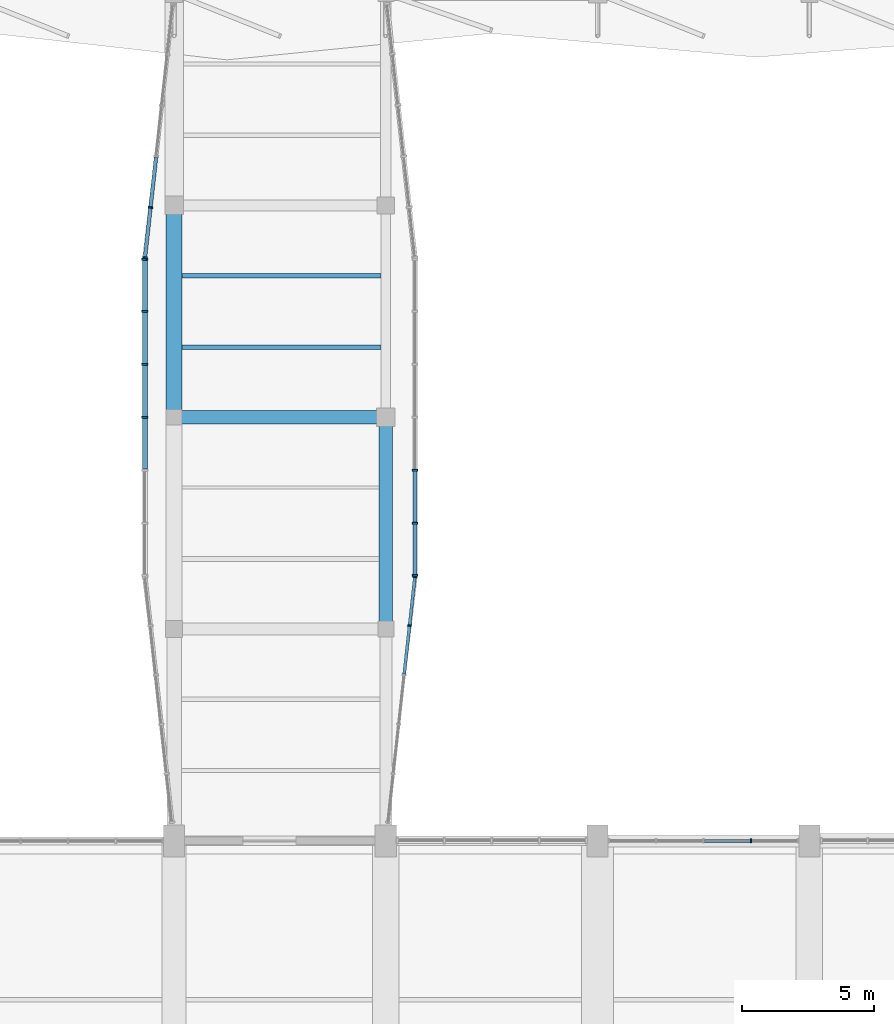
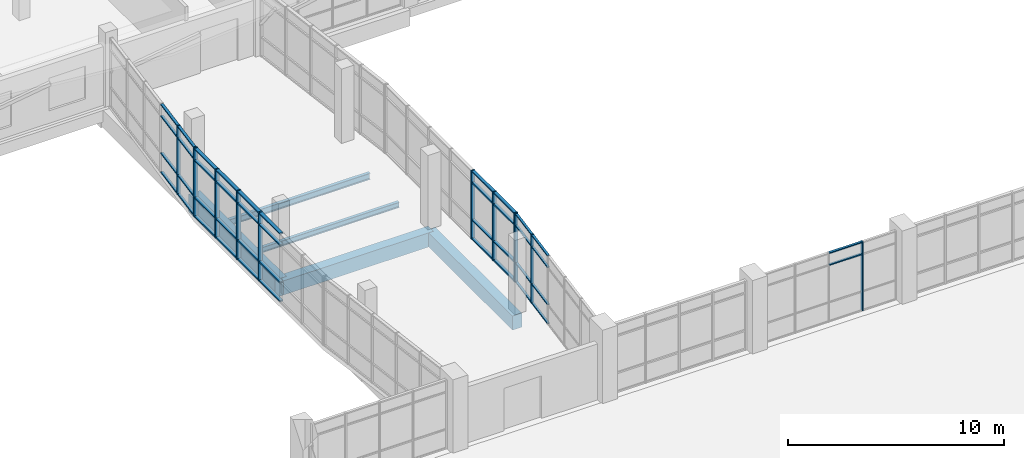
# One storey, part 12 of 84: 54 members, 5 beams, 5 elements without a shape of their own.
"""IFC4 building model written with IfcOpenShell, lengths in metres."""

from ifc_helpers import new_model, si_unit, direction, frame, origin, origin_2d, place, context, subcontext, project, spatial, rectangle, i_section, extrude, material, material_profile, profile_set, type_object, element, aggregate, save


model = new_model("IFC4")

# Units and contexts
model_context = context("Model", 3, precision=1e-05, world=origin(), true_north=direction((0.0, 1.0)))
body_context = subcontext(model_context, "Body", "Model", "MODEL_VIEW")
ifc_project = project(units=[si_unit("LENGTHUNIT", "METRE"), si_unit("AREAUNIT", "SQUARE_METRE"), si_unit("VOLUMEUNIT", "CUBIC_METRE"), si_unit("PLANEANGLEUNIT", "RADIAN"), si_unit("MASSUNIT", "GRAM", prefix="KILO")], contexts=[model_context])

# Site, building, storey
site_placement = place(None, origin())
site = spatial("IfcSite", under=ifc_project, at=site_placement, CompositionType="ELEMENT")
building_placement = place(site_placement, origin())
building = spatial("IfcBuilding", under=site, at=building_placement, Name="Tenunan Teduh Sports Hall", CompositionType="ELEMENT")
storey_placement = place(building_placement, frame((0.0, 0.0, 10.800048828125)))
storey = spatial("IfcBuildingStorey", under=building, at=storey_placement, Name="L02", CompositionType="ELEMENT", Elevation=10.800048828125)

# Beams
ifc_material_1 = material(Name="Concrete C40/50", Category="concrete")
ifc_material_profile_1 = material_profile(ifc_material_1, rectangle(XDim=0.5, YDim=0.800048828125, at=origin_2d()), Name="RCB 500x800")
ifc_profile_set_1 = profile_set([ifc_material_profile_1], Name="Concrete C40/50")
beam_type_1 = type_object("IfcBeamType", Name="BM-RC-500x800", PredefinedType="BEAM", material=ifc_profile_set_1)
for number, where, z_axis, x_axis, name in (
    (1, (14.0, 62.0, -0.66015625), (1.0, 0.0, 0.0), (0.0, 1.0, 0.0), "BM-B-14-L02-1478"),
    (2, (22.0, 54.0, -0.66015625), (0.0, 1.0, 0.0), (-1.0, 0.0, 0.0), "BM-B-14-L02-1585"),
):
    element("IfcBeam", number, at=place(storey_placement, frame(where, z_axis=z_axis, x_axis=x_axis)), inside=storey, type_object=beam_type_1, Name=name, PredefinedType="BEAM", context=body_context, shape_type="SweptSolid", body=[
        extrude(rectangle(XDim=0.5, YDim=0.800048828125, at=origin_2d()), origin(), (0.0, 0.0, 1.0), 8.0),
    ])
ifc_material_2 = material(Name="Concrete C40/50", Category="concrete")
ifc_material_profile_2 = material_profile(ifc_material_2, rectangle(XDim=0.60009765625, YDim=1.0, at=origin_2d()), Name="RCB 600x1000")
ifc_profile_set_2 = profile_set([ifc_material_profile_2], Name="Concrete C40/50")
beam_type_2 = type_object("IfcBeamType", Name="BM-RC-600x1000", PredefinedType="BEAM", material=ifc_profile_set_2)
beam_1_placement = place(storey_placement, frame((14.0, 62.0, -0.760009765625), z_axis=(0.0, 1.0, 0.0), x_axis=(-1.0, 0.0, 0.0)))
element("IfcBeam", 3, at=beam_1_placement, inside=storey, type_object=beam_type_2, Name="BM-B-18-L02-1577", PredefinedType="BEAM", context=body_context, shape_type="SweptSolid", body=[
    extrude(rectangle(XDim=0.60009765625, YDim=1.0, at=origin_2d()), origin(), (0.0, 0.0, 1.0), 8.0),
])

# Curtain wall, member
ifc_material_3 = material(Name="Anodised aluminium", Category="aluminium")
curtain_wall_type_1 = type_object("IfcCurtainWallType", Name="CW-UNIT-2", PredefinedType="NOTDEFINED", material=ifc_material_3)
curtain_wall_1_placement = place(storey_placement, origin())
curtain_wall_1 = element("IfcCurtainWall", 4, at=curtain_wall_1_placement, inside=storey, type_object=curtain_wall_type_1, Name="CW-CWM-150-L02-063", PredefinedType="NOTDEFINED")
ifc_material_4 = material(Name="Anodised aluminium", Category="aluminium")
ifc_material_profile_3 = material_profile(ifc_material_4, rectangle(XDim=0.06005859375, YDim=0.14990234375, at=origin_2d()), Name="CWM 60x150")
ifc_profile_set_3 = profile_set([ifc_material_profile_3], Name="Anodised aluminium")
member_type_1 = type_object("IfcMemberType", Name="CWM-150", PredefinedType="MULLION", material=ifc_profile_set_3)
member_1_placement = place(storey_placement, frame((35.800048828125, 46.0, 0.0), z_axis=(0.0, 0.0, 1.0), x_axis=(1.0, 0.0, 0.0)))
member_1 = element("IfcMember", 5, at=member_1_placement, type_object=member_type_1, Name="CW-02 mullion 4", PredefinedType="MULLION", context=body_context, shape_type="SweptSolid", body=[
    extrude(rectangle(XDim=0.06005859375, YDim=0.14990234375, at=origin_2d()), origin(), (0.0, 0.0, 1.0), 3.89990234375),
])

# Curtain wall, members
ifc_material_5 = material(Name="Anodised aluminium", Category="aluminium")
curtain_wall_type_2 = type_object("IfcCurtainWallType", Name="CW-BRIDGE-1", PredefinedType="NOTDEFINED", material=ifc_material_5)
curtain_wall_2_placement = place(storey_placement, origin())
curtain_wall_2 = element("IfcCurtainWall", 6, at=curtain_wall_2_placement, inside=storey, type_object=curtain_wall_type_2, Name="CW-CWM-150-L02-187", PredefinedType="NOTDEFINED")
member_2_placement = place(storey_placement, frame((22.894775390625, 54.133544921875, 0.0), z_axis=(0.0, 0.0, 1.0), x_axis=(0.109338770491, 0.994004543887, 0.0)))
member_2 = element("IfcMember", 7, at=member_2_placement, type_object=member_type_1, Name="CW-05 mullion 5", PredefinedType="MULLION", context=body_context, shape_type="SweptSolid", body=[
    extrude(rectangle(XDim=0.06005859375, YDim=0.14990234375, at=origin_2d()), origin(), (0.0, 0.0, 1.0), 3.8798828125),
])
member_3_placement = place(storey_placement, frame((23.0966796875, 55.97021484375, 0.0), z_axis=(0.0, 0.0, 1.0), x_axis=(0.109338770491, 0.994004543887, 0.0)))
member_3 = element("IfcMember", 8, at=member_3_placement, type_object=member_type_1, Name="CW-05 mullion 6", PredefinedType="MULLION", context=body_context, shape_type="SweptSolid", body=[
    extrude(rectangle(XDim=0.06005859375, YDim=0.14990234375, at=origin_2d()), origin(), (0.0, 0.0, 1.0), 3.8798828125),
])

curtain_wall_3_placement = place(storey_placement, origin())
curtain_wall_3 = element("IfcCurtainWall", 9, at=curtain_wall_3_placement, inside=storey, type_object=curtain_wall_type_2, Name="CW-CWM-175-L02-186", PredefinedType="NOTDEFINED")
ifc_material_6 = material(Name="Anodised aluminium", Category="aluminium")
ifc_material_profile_4 = material_profile(ifc_material_6, rectangle(XDim=0.06494140625, YDim=0.175048828125, at=origin_2d()), Name="CWM 65x175")
ifc_profile_set_4 = profile_set([ifc_material_profile_4], Name="Anodised aluminium")
member_type_2 = type_object("IfcMemberType", Name="CWM-175", PredefinedType="MULLION", material=ifc_profile_set_4)
member_4_placement = place(storey_placement, frame((12.903564453125, 68.0322265625, 0.0), z_axis=(0.0, 0.0, 1.0), x_axis=(0.109337035626, 0.994004734717, 0.0)))
member_4 = element("IfcMember", 10, at=member_4_placement, type_object=member_type_2, Name="CW-05 mullion 1", PredefinedType="MULLION", context=body_context, shape_type="SweptSolid", body=[
    extrude(rectangle(XDim=0.06494140625, YDim=0.175048828125, at=origin_2d()), origin(), (0.0, 0.0, 1.0), 3.8798828125),
])
member_5_placement = place(storey_placement, frame((13.11181640625, 69.925048828125, 0.0), z_axis=(0.0, 0.0, 1.0), x_axis=(0.109337035626, 0.994004734717, 0.0)))
member_5 = element("IfcMember", 11, at=member_5_placement, type_object=member_type_2, Name="CW-05 mullion 2", PredefinedType="MULLION", context=body_context, shape_type="SweptSolid", body=[
    extrude(rectangle(XDim=0.06494140625, YDim=0.175048828125, at=origin_2d()), origin(), (0.0, 0.0, 1.0), 3.8798828125),
])

curtain_wall_4_placement = place(storey_placement, origin())
curtain_wall_4 = element("IfcCurtainWall", 12, at=curtain_wall_4_placement, inside=storey, type_object=curtain_wall_type_2, Name="CW-CWM-200-L02-188", PredefinedType="NOTDEFINED")
ifc_material_7 = material(Name="Anodised aluminium", Category="aluminium")
ifc_material_profile_5 = material_profile(ifc_material_7, rectangle(XDim=0.070068359375, YDim=0.199951171875, at=origin_2d()), Name="CWM 70x200")
ifc_profile_set_5 = profile_set([ifc_material_profile_5], Name="Anodised aluminium")
member_type_3 = type_object("IfcMemberType", Name="CWM-200", PredefinedType="MULLION", material=ifc_profile_set_5)
member_6_placement = place(storey_placement, frame((23.10009765625, 56.034912109375, 0.0), z_axis=(0.0, 0.0, 1.0), x_axis=(0.0, 1.0, 0.0)))
member_6 = element("IfcMember", 13, at=member_6_placement, type_object=member_type_3, Name="CW-05 mullion 1", PredefinedType="MULLION", context=body_context, shape_type="SweptSolid", body=[
    extrude(rectangle(XDim=0.070068359375, YDim=0.199951171875, at=origin_2d()), origin(), (0.0, 0.0, 1.0), 3.8798828125),
])
member_7_placement = place(storey_placement, frame((23.10009765625, 58.0, 0.0), z_axis=(0.0, 0.0, 1.0), x_axis=(0.0, 1.0, 0.0)))
member_7 = element("IfcMember", 14, at=member_7_placement, type_object=member_type_3, Name="CW-05 mullion 2", PredefinedType="MULLION", context=body_context, shape_type="SweptSolid", body=[
    extrude(rectangle(XDim=0.070068359375, YDim=0.199951171875, at=origin_2d()), origin(), (0.0, 0.0, 1.0), 3.8798828125),
])
member_8_placement = place(storey_placement, frame((23.10009765625, 60.0, 0.0), z_axis=(0.0, 0.0, 1.0), x_axis=(0.0, 1.0, 0.0)))
member_8 = element("IfcMember", 15, at=member_8_placement, type_object=member_type_3, Name="CW-05 mullion 3", PredefinedType="MULLION", context=body_context, shape_type="SweptSolid", body=[
    extrude(rectangle(XDim=0.070068359375, YDim=0.199951171875, at=origin_2d()), origin(), (0.0, 0.0, 1.0), 3.8798828125),
])

curtain_wall_5_placement = place(storey_placement, origin())
curtain_wall_5 = element("IfcCurtainWall", 16, at=curtain_wall_5_placement, inside=storey, type_object=curtain_wall_type_2, Name="CW-CWM-220-L02-185", PredefinedType="NOTDEFINED")
ifc_material_8 = material(Name="Anodised aluminium", Category="aluminium")
ifc_material_profile_6 = material_profile(ifc_material_8, rectangle(XDim=0.074951171875, YDim=0.219970703125, at=origin_2d()), Name="CWM 75x220")
ifc_profile_set_6 = profile_set([ifc_material_profile_6], Name="Anodised aluminium")
member_type_4 = type_object("IfcMemberType", Name="CWM-220", PredefinedType="MULLION", material=ifc_profile_set_6)
member_9_placement = place(storey_placement, frame((12.89990234375, 62.0, 0.0), z_axis=(0.0, 0.0, 1.0), x_axis=(0.0, 1.0, 0.0)))
member_9 = element("IfcMember", 17, at=member_9_placement, type_object=member_type_4, Name="CW-05 mullion 4", PredefinedType="MULLION", context=body_context, shape_type="SweptSolid", body=[
    extrude(rectangle(XDim=0.074951171875, YDim=0.219970703125, at=origin_2d()), origin(), (0.0, 0.0, 1.0), 3.8798828125),
])
member_10_placement = place(storey_placement, frame((12.89990234375, 64.0, 0.0), z_axis=(0.0, 0.0, 1.0), x_axis=(0.0, 1.0, 0.0)))
member_10 = element("IfcMember", 18, at=member_10_placement, type_object=member_type_4, Name="CW-05 mullion 5", PredefinedType="MULLION", context=body_context, shape_type="SweptSolid", body=[
    extrude(rectangle(XDim=0.074951171875, YDim=0.219970703125, at=origin_2d()), origin(), (0.0, 0.0, 1.0), 3.8798828125),
])
member_11_placement = place(storey_placement, frame((12.89990234375, 66.0, 0.0), z_axis=(0.0, 0.0, 1.0), x_axis=(0.0, 1.0, 0.0)))
member_11 = element("IfcMember", 19, at=member_11_placement, type_object=member_type_4, Name="CW-05 mullion 6", PredefinedType="MULLION", context=body_context, shape_type="SweptSolid", body=[
    extrude(rectangle(XDim=0.074951171875, YDim=0.219970703125, at=origin_2d()), origin(), (0.0, 0.0, 1.0), 3.8798828125),
])
member_12_placement = place(storey_placement, frame((12.89990234375, 67.96240234375, 0.0), z_axis=(0.0, 0.0, 1.0), x_axis=(0.0, 1.0, 0.0)))
member_12 = element("IfcMember", 20, at=member_12_placement, type_object=member_type_4, Name="CW-05 mullion 7", PredefinedType="MULLION", context=body_context, shape_type="SweptSolid", body=[
    extrude(rectangle(XDim=0.074951171875, YDim=0.219970703125, at=origin_2d()), origin(), (0.0, 0.0, 1.0), 3.8798828125),
])

# Member
ifc_material_9 = material(Name="Anodised aluminium", Category="aluminium")
ifc_material_profile_7 = material_profile(ifc_material_9, rectangle(XDim=0.06005859375, YDim=0.1201171875, at=origin_2d()), Name="CWT 60x120")
ifc_profile_set_7 = profile_set([ifc_material_profile_7], Name="Anodised aluminium")
member_type_5 = type_object("IfcMemberType", Name="CWT-125", PredefinedType="USERDEFINED", material=ifc_profile_set_7)
member_13_placement = place(storey_placement, frame((34.030029296875, 46.0, 3.199951171875), z_axis=(1.0, 0.0, 0.0), x_axis=(0.0, 0.0, 1.0)))
member_13 = element("IfcMember", 21, at=member_13_placement, type_object=member_type_5, Name="CW-02 transom 3.3", ObjectType="TRANSOM", PredefinedType="USERDEFINED", context=body_context, shape_type="SweptSolid", body=[
    extrude(rectangle(XDim=0.06005859375, YDim=0.1201171875, at=origin_2d()), origin(), (0.0, 0.0, 1.0), 1.739990234375),
])

member_14_placement = place(storey_placement, frame((34.030029296875, 46.0, 3.869873046875), z_axis=(1.0, 0.0, 0.0), x_axis=(0.0, 0.0, 1.0)))
member_14 = element("IfcMember", 22, at=member_14_placement, type_object=member_type_5, Name="CW-02 transom 3.4", ObjectType="TRANSOM", PredefinedType="USERDEFINED", context=body_context, shape_type="SweptSolid", body=[
    extrude(rectangle(XDim=0.06005859375, YDim=0.1201171875, at=origin_2d()), origin(), (0.0, 0.0, 1.0), 1.739990234375),
])

aggregate(curtain_wall_1, [member_1, member_13, member_14])

member_15_placement = place(storey_placement, frame((22.692626953125, 52.297119140625, 0.030029296875), z_axis=(0.109340479153, 0.994004355935, 0.0), x_axis=(0.0, 0.0, 1.0)))
member_15 = element("IfcMember", 23, at=member_15_placement, type_object=member_type_5, Name="CW-05 transom 4.1", ObjectType="TRANSOM", PredefinedType="USERDEFINED", context=body_context, shape_type="SweptSolid", body=[
    extrude(rectangle(XDim=0.06005859375, YDim=0.1201171875, at=origin_2d()), origin(), (0.0, 0.0, 1.0), 1.817626953125),
])

member_16_placement = place(storey_placement, frame((22.692626953125, 52.297119140625, 1.099853515625), z_axis=(0.109340479153, 0.994004355935, 0.0), x_axis=(0.0, 0.0, 1.0)))
member_16 = element("IfcMember", 24, at=member_16_placement, type_object=member_type_5, Name="CW-05 transom 4.2", ObjectType="TRANSOM", PredefinedType="USERDEFINED", context=body_context, shape_type="SweptSolid", body=[
    extrude(rectangle(XDim=0.06005859375, YDim=0.1201171875, at=origin_2d()), origin(), (0.0, 0.0, 1.0), 1.817626953125),
])

member_17_placement = place(storey_placement, frame((22.692626953125, 52.297119140625, 3.199951171875), z_axis=(0.109340479153, 0.994004355935, 0.0), x_axis=(0.0, 0.0, 1.0)))
member_17 = element("IfcMember", 25, at=member_17_placement, type_object=member_type_5, Name="CW-05 transom 4.3", ObjectType="TRANSOM", PredefinedType="USERDEFINED", context=body_context, shape_type="SweptSolid", body=[
    extrude(rectangle(XDim=0.06005859375, YDim=0.1201171875, at=origin_2d()), origin(), (0.0, 0.0, 1.0), 1.817626953125),
])

member_18_placement = place(storey_placement, frame((22.692626953125, 52.297119140625, 3.849853515625), z_axis=(0.109340479153, 0.994004355935, 0.0), x_axis=(0.0, 0.0, 1.0)))
member_18 = element("IfcMember", 26, at=member_18_placement, type_object=member_type_5, Name="CW-05 transom 4.4", ObjectType="TRANSOM", PredefinedType="USERDEFINED", context=body_context, shape_type="SweptSolid", body=[
    extrude(rectangle(XDim=0.06005859375, YDim=0.1201171875, at=origin_2d()), origin(), (0.0, 0.0, 1.0), 1.817626953125),
])

member_19_placement = place(storey_placement, frame((22.89794921875, 54.163330078125, 0.030029296875), z_axis=(0.109382305681, 0.993999754127, 0.0), x_axis=(0.0, 0.0, 1.0)))
member_19 = element("IfcMember", 27, at=member_19_placement, type_object=member_type_5, Name="CW-05 transom 5.1", ObjectType="TRANSOM", PredefinedType="USERDEFINED", context=body_context, shape_type="SweptSolid", body=[
    extrude(rectangle(XDim=0.06005859375, YDim=0.1201171875, at=origin_2d()), origin(), (0.0, 0.0, 1.0), 1.787841796875),
])

member_20_placement = place(storey_placement, frame((22.89794921875, 54.163330078125, 1.099853515625), z_axis=(0.109382305681, 0.993999754127, 0.0), x_axis=(0.0, 0.0, 1.0)))
member_20 = element("IfcMember", 28, at=member_20_placement, type_object=member_type_5, Name="CW-05 transom 5.2", ObjectType="TRANSOM", PredefinedType="USERDEFINED", context=body_context, shape_type="SweptSolid", body=[
    extrude(rectangle(XDim=0.06005859375, YDim=0.1201171875, at=origin_2d()), origin(), (0.0, 0.0, 1.0), 1.787841796875),
])

member_21_placement = place(storey_placement, frame((22.89794921875, 54.163330078125, 3.199951171875), z_axis=(0.109382305681, 0.993999754127, 0.0), x_axis=(0.0, 0.0, 1.0)))
member_21 = element("IfcMember", 29, at=member_21_placement, type_object=member_type_5, Name="CW-05 transom 5.3", ObjectType="TRANSOM", PredefinedType="USERDEFINED", context=body_context, shape_type="SweptSolid", body=[
    extrude(rectangle(XDim=0.06005859375, YDim=0.1201171875, at=origin_2d()), origin(), (0.0, 0.0, 1.0), 1.787841796875),
])

member_22_placement = place(storey_placement, frame((22.89794921875, 54.163330078125, 3.849853515625), z_axis=(0.109382305681, 0.993999754127, 0.0), x_axis=(0.0, 0.0, 1.0)))
member_22 = element("IfcMember", 30, at=member_22_placement, type_object=member_type_5, Name="CW-05 transom 5.4", ObjectType="TRANSOM", PredefinedType="USERDEFINED", context=body_context, shape_type="SweptSolid", body=[
    extrude(rectangle(XDim=0.06005859375, YDim=0.1201171875, at=origin_2d()), origin(), (0.0, 0.0, 1.0), 1.787841796875),
])

aggregate(curtain_wall_2, [member_2, member_3, member_15, member_16, member_17, member_18, member_19, member_20, member_21, member_22])

ifc_material_10 = material(Name="Anodised aluminium", Category="aluminium")
ifc_material_profile_8 = material_profile(ifc_material_10, rectangle(XDim=0.06494140625, YDim=0.139892578125, at=origin_2d()), Name="CWT 65x140")
ifc_profile_set_8 = profile_set([ifc_material_profile_8], Name="Anodised aluminium")
member_type_6 = type_object("IfcMemberType", Name="CWT-150", PredefinedType="USERDEFINED", material=ifc_profile_set_8)
member_23_placement = place(storey_placement, frame((12.9072265625, 68.064697265625, 0.032470703125), z_axis=(0.109251289522, 0.994014162745, 0.0), x_axis=(0.0, 0.0, 1.0)))
member_23 = element("IfcMember", 31, at=member_23_placement, type_object=member_type_6, Name="CW-05 transom 1.1", ObjectType="TRANSOM", PredefinedType="USERDEFINED", context=body_context, shape_type="SweptSolid", body=[
    extrude(rectangle(XDim=0.06494140625, YDim=0.139892578125, at=origin_2d()), origin(), (0.0, 0.0, 1.0), 1.839111328125),
])

member_24_placement = place(storey_placement, frame((12.9072265625, 68.064697265625, 1.099853515625), z_axis=(0.109251289522, 0.994014162745, 0.0), x_axis=(0.0, 0.0, 1.0)))
member_24 = element("IfcMember", 32, at=member_24_placement, type_object=member_type_6, Name="CW-05 transom 1.2", ObjectType="TRANSOM", PredefinedType="USERDEFINED", context=body_context, shape_type="SweptSolid", body=[
    extrude(rectangle(XDim=0.06494140625, YDim=0.139892578125, at=origin_2d()), origin(), (0.0, 0.0, 1.0), 1.839111328125),
])

member_25_placement = place(storey_placement, frame((12.9072265625, 68.064697265625, 3.199951171875), z_axis=(0.109251289522, 0.994014162745, 0.0), x_axis=(0.0, 0.0, 1.0)))
member_25 = element("IfcMember", 33, at=member_25_placement, type_object=member_type_6, Name="CW-05 transom 1.3", ObjectType="TRANSOM", PredefinedType="USERDEFINED", context=body_context, shape_type="SweptSolid", body=[
    extrude(rectangle(XDim=0.06494140625, YDim=0.139892578125, at=origin_2d()), origin(), (0.0, 0.0, 1.0), 1.839111328125),
])

member_26_placement = place(storey_placement, frame((12.9072265625, 68.064697265625, 3.847412109375), z_axis=(0.109251289522, 0.994014162745, 0.0), x_axis=(0.0, 0.0, 1.0)))
member_26 = element("IfcMember", 34, at=member_26_placement, type_object=member_type_6, Name="CW-05 transom 1.4", ObjectType="TRANSOM", PredefinedType="USERDEFINED", context=body_context, shape_type="SweptSolid", body=[
    extrude(rectangle(XDim=0.06494140625, YDim=0.139892578125, at=origin_2d()), origin(), (0.0, 0.0, 1.0), 1.839111328125),
])

member_27_placement = place(storey_placement, frame((13.115234375, 69.95751953125, 0.032470703125), z_axis=(0.109443587172, 0.993993008641, 0.0), x_axis=(0.0, 0.0, 1.0)))
member_27 = element("IfcMember", 35, at=member_27_placement, type_object=member_type_6, Name="CW-05 transom 2.1", ObjectType="TRANSOM", PredefinedType="USERDEFINED", context=body_context, shape_type="SweptSolid", body=[
    extrude(rectangle(XDim=0.06494140625, YDim=0.139892578125, at=origin_2d()), origin(), (0.0, 0.0, 1.0), 1.87158203125),
])

member_28_placement = place(storey_placement, frame((13.115234375, 69.95751953125, 1.099853515625), z_axis=(0.109443587172, 0.993993008641, 0.0), x_axis=(0.0, 0.0, 1.0)))
member_28 = element("IfcMember", 36, at=member_28_placement, type_object=member_type_6, Name="CW-05 transom 2.2", ObjectType="TRANSOM", PredefinedType="USERDEFINED", context=body_context, shape_type="SweptSolid", body=[
    extrude(rectangle(XDim=0.06494140625, YDim=0.139892578125, at=origin_2d()), origin(), (0.0, 0.0, 1.0), 1.87158203125),
])

member_29_placement = place(storey_placement, frame((13.115234375, 69.95751953125, 3.199951171875), z_axis=(0.109443587172, 0.993993008641, 0.0), x_axis=(0.0, 0.0, 1.0)))
member_29 = element("IfcMember", 37, at=member_29_placement, type_object=member_type_6, Name="CW-05 transom 2.3", ObjectType="TRANSOM", PredefinedType="USERDEFINED", context=body_context, shape_type="SweptSolid", body=[
    extrude(rectangle(XDim=0.06494140625, YDim=0.139892578125, at=origin_2d()), origin(), (0.0, 0.0, 1.0), 1.87158203125),
])

member_30_placement = place(storey_placement, frame((13.115234375, 69.95751953125, 3.847412109375), z_axis=(0.109443587172, 0.993993008641, 0.0), x_axis=(0.0, 0.0, 1.0)))
member_30 = element("IfcMember", 38, at=member_30_placement, type_object=member_type_6, Name="CW-05 transom 2.4", ObjectType="TRANSOM", PredefinedType="USERDEFINED", context=body_context, shape_type="SweptSolid", body=[
    extrude(rectangle(XDim=0.06494140625, YDim=0.139892578125, at=origin_2d()), origin(), (0.0, 0.0, 1.0), 1.87158203125),
])

aggregate(curtain_wall_3, [member_4, member_5, member_23, member_24, member_25, member_26, member_27, member_28, member_29, member_30])

ifc_material_11 = material(Name="Anodised aluminium", Category="aluminium")
ifc_material_profile_9 = material_profile(ifc_material_11, rectangle(XDim=0.074951171875, YDim=0.179931640625, at=origin_2d()), Name="CWT 75x180")
ifc_profile_set_9 = profile_set([ifc_material_profile_9], Name="Anodised aluminium")
member_type_7 = type_object("IfcMemberType", Name="CWT-180", PredefinedType="USERDEFINED", material=ifc_profile_set_9)
member_31_placement = place(storey_placement, frame((12.89990234375, 60.03759765625, 0.037353515625), z_axis=(0.0, 1.0, 0.0), x_axis=(0.0, 0.0, 1.0)))
member_31 = element("IfcMember", 39, at=member_31_placement, type_object=member_type_7, Name="CW-05 transom 3.1", ObjectType="TRANSOM", PredefinedType="USERDEFINED", context=body_context, shape_type="SweptSolid", body=[
    extrude(rectangle(XDim=0.074951171875, YDim=0.179931640625, at=origin_2d()), origin(), (0.0, 0.0, 1.0), 1.9248046875),
])

member_32_placement = place(storey_placement, frame((12.89990234375, 60.03759765625, 1.099853515625), z_axis=(0.0, 1.0, 0.0), x_axis=(0.0, 0.0, 1.0)))
member_32 = element("IfcMember", 40, at=member_32_placement, type_object=member_type_7, Name="CW-05 transom 3.2", ObjectType="TRANSOM", PredefinedType="USERDEFINED", context=body_context, shape_type="SweptSolid", body=[
    extrude(rectangle(XDim=0.074951171875, YDim=0.179931640625, at=origin_2d()), origin(), (0.0, 0.0, 1.0), 1.9248046875),
])

member_33_placement = place(storey_placement, frame((12.89990234375, 60.03759765625, 3.199951171875), z_axis=(0.0, 1.0, 0.0), x_axis=(0.0, 0.0, 1.0)))
member_33 = element("IfcMember", 41, at=member_33_placement, type_object=member_type_7, Name="CW-05 transom 3.3", ObjectType="TRANSOM", PredefinedType="USERDEFINED", context=body_context, shape_type="SweptSolid", body=[
    extrude(rectangle(XDim=0.074951171875, YDim=0.179931640625, at=origin_2d()), origin(), (0.0, 0.0, 1.0), 1.9248046875),
])

member_34_placement = place(storey_placement, frame((12.89990234375, 60.03759765625, 3.842529296875), z_axis=(0.0, 1.0, 0.0), x_axis=(0.0, 0.0, 1.0)))
member_34 = element("IfcMember", 42, at=member_34_placement, type_object=member_type_7, Name="CW-05 transom 3.4", ObjectType="TRANSOM", PredefinedType="USERDEFINED", context=body_context, shape_type="SweptSolid", body=[
    extrude(rectangle(XDim=0.074951171875, YDim=0.179931640625, at=origin_2d()), origin(), (0.0, 0.0, 1.0), 1.9248046875),
])

member_35_placement = place(storey_placement, frame((12.89990234375, 62.03759765625, 0.037353515625), z_axis=(0.0, 1.0, 0.0), x_axis=(0.0, 0.0, 1.0)))
member_35 = element("IfcMember", 43, at=member_35_placement, type_object=member_type_7, Name="CW-05 transom 4.1", ObjectType="TRANSOM", PredefinedType="USERDEFINED", context=body_context, shape_type="SweptSolid", body=[
    extrude(rectangle(XDim=0.074951171875, YDim=0.179931640625, at=origin_2d()), origin(), (0.0, 0.0, 1.0), 1.9248046875),
])

member_36_placement = place(storey_placement, frame((12.89990234375, 62.03759765625, 1.099853515625), z_axis=(0.0, 1.0, 0.0), x_axis=(0.0, 0.0, 1.0)))
member_36 = element("IfcMember", 44, at=member_36_placement, type_object=member_type_7, Name="CW-05 transom 4.2", ObjectType="TRANSOM", PredefinedType="USERDEFINED", context=body_context, shape_type="SweptSolid", body=[
    extrude(rectangle(XDim=0.074951171875, YDim=0.179931640625, at=origin_2d()), origin(), (0.0, 0.0, 1.0), 1.9248046875),
])

member_37_placement = place(storey_placement, frame((12.89990234375, 62.03759765625, 3.199951171875), z_axis=(0.0, 1.0, 0.0), x_axis=(0.0, 0.0, 1.0)))
member_37 = element("IfcMember", 45, at=member_37_placement, type_object=member_type_7, Name="CW-05 transom 4.3", ObjectType="TRANSOM", PredefinedType="USERDEFINED", context=body_context, shape_type="SweptSolid", body=[
    extrude(rectangle(XDim=0.074951171875, YDim=0.179931640625, at=origin_2d()), origin(), (0.0, 0.0, 1.0), 1.9248046875),
])

member_38_placement = place(storey_placement, frame((12.89990234375, 62.03759765625, 3.842529296875), z_axis=(0.0, 1.0, 0.0), x_axis=(0.0, 0.0, 1.0)))
member_38 = element("IfcMember", 46, at=member_38_placement, type_object=member_type_7, Name="CW-05 transom 4.4", ObjectType="TRANSOM", PredefinedType="USERDEFINED", context=body_context, shape_type="SweptSolid", body=[
    extrude(rectangle(XDim=0.074951171875, YDim=0.179931640625, at=origin_2d()), origin(), (0.0, 0.0, 1.0), 1.9248046875),
])

member_39_placement = place(storey_placement, frame((12.89990234375, 64.03759765625, 0.037353515625), z_axis=(0.0, 1.0, 0.0), x_axis=(0.0, 0.0, 1.0)))
member_39 = element("IfcMember", 47, at=member_39_placement, type_object=member_type_7, Name="CW-05 transom 5.1", ObjectType="TRANSOM", PredefinedType="USERDEFINED", context=body_context, shape_type="SweptSolid", body=[
    extrude(rectangle(XDim=0.074951171875, YDim=0.179931640625, at=origin_2d()), origin(), (0.0, 0.0, 1.0), 1.9248046875),
])

member_40_placement = place(storey_placement, frame((12.89990234375, 64.03759765625, 1.099853515625), z_axis=(0.0, 1.0, 0.0), x_axis=(0.0, 0.0, 1.0)))
member_40 = element("IfcMember", 48, at=member_40_placement, type_object=member_type_7, Name="CW-05 transom 5.2", ObjectType="TRANSOM", PredefinedType="USERDEFINED", context=body_context, shape_type="SweptSolid", body=[
    extrude(rectangle(XDim=0.074951171875, YDim=0.179931640625, at=origin_2d()), origin(), (0.0, 0.0, 1.0), 1.9248046875),
])

member_41_placement = place(storey_placement, frame((12.89990234375, 64.03759765625, 3.199951171875), z_axis=(0.0, 1.0, 0.0), x_axis=(0.0, 0.0, 1.0)))
member_41 = element("IfcMember", 49, at=member_41_placement, type_object=member_type_7, Name="CW-05 transom 5.3", ObjectType="TRANSOM", PredefinedType="USERDEFINED", context=body_context, shape_type="SweptSolid", body=[
    extrude(rectangle(XDim=0.074951171875, YDim=0.179931640625, at=origin_2d()), origin(), (0.0, 0.0, 1.0), 1.9248046875),
])

member_42_placement = place(storey_placement, frame((12.89990234375, 64.03759765625, 3.842529296875), z_axis=(0.0, 1.0, 0.0), x_axis=(0.0, 0.0, 1.0)))
member_42 = element("IfcMember", 50, at=member_42_placement, type_object=member_type_7, Name="CW-05 transom 5.4", ObjectType="TRANSOM", PredefinedType="USERDEFINED", context=body_context, shape_type="SweptSolid", body=[
    extrude(rectangle(XDim=0.074951171875, YDim=0.179931640625, at=origin_2d()), origin(), (0.0, 0.0, 1.0), 1.9248046875),
])

member_43_placement = place(storey_placement, frame((12.89990234375, 66.03759765625, 0.037353515625), z_axis=(0.0, 1.0, 0.0), x_axis=(0.0, 0.0, 1.0)))
member_43 = element("IfcMember", 51, at=member_43_placement, type_object=member_type_7, Name="CW-05 transom 6.1", ObjectType="TRANSOM", PredefinedType="USERDEFINED", context=body_context, shape_type="SweptSolid", body=[
    extrude(rectangle(XDim=0.074951171875, YDim=0.179931640625, at=origin_2d()), origin(), (0.0, 0.0, 1.0), 1.887451171875),
])

member_44_placement = place(storey_placement, frame((12.89990234375, 66.03759765625, 1.099853515625), z_axis=(0.0, 1.0, 0.0), x_axis=(0.0, 0.0, 1.0)))
member_44 = element("IfcMember", 52, at=member_44_placement, type_object=member_type_7, Name="CW-05 transom 6.2", ObjectType="TRANSOM", PredefinedType="USERDEFINED", context=body_context, shape_type="SweptSolid", body=[
    extrude(rectangle(XDim=0.074951171875, YDim=0.179931640625, at=origin_2d()), origin(), (0.0, 0.0, 1.0), 1.887451171875),
])

member_45_placement = place(storey_placement, frame((12.89990234375, 66.03759765625, 3.199951171875), z_axis=(0.0, 1.0, 0.0), x_axis=(0.0, 0.0, 1.0)))
member_45 = element("IfcMember", 53, at=member_45_placement, type_object=member_type_7, Name="CW-05 transom 6.3", ObjectType="TRANSOM", PredefinedType="USERDEFINED", context=body_context, shape_type="SweptSolid", body=[
    extrude(rectangle(XDim=0.074951171875, YDim=0.179931640625, at=origin_2d()), origin(), (0.0, 0.0, 1.0), 1.887451171875),
])

member_46_placement = place(storey_placement, frame((12.89990234375, 66.03759765625, 3.842529296875), z_axis=(0.0, 1.0, 0.0), x_axis=(0.0, 0.0, 1.0)))
member_46 = element("IfcMember", 54, at=member_46_placement, type_object=member_type_7, Name="CW-05 transom 6.4", ObjectType="TRANSOM", PredefinedType="USERDEFINED", context=body_context, shape_type="SweptSolid", body=[
    extrude(rectangle(XDim=0.074951171875, YDim=0.179931640625, at=origin_2d()), origin(), (0.0, 0.0, 1.0), 1.887451171875),
])

aggregate(curtain_wall_5, [member_9, member_10, member_11, member_12, member_31, member_32, member_33, member_34, member_35, member_36, member_37, member_38, member_39, member_40, member_41, member_42, member_43, member_44, member_45, member_46])

ifc_material_12 = material(Name="Anodised aluminium", Category="aluminium")
ifc_material_profile_10 = material_profile(ifc_material_12, rectangle(XDim=0.070068359375, YDim=0.159912109375, at=origin_2d()), Name="CWT 70x160")
ifc_profile_set_10 = profile_set([ifc_material_profile_10], Name="Anodised aluminium")
member_type_8 = type_object("IfcMemberType", Name="CWT-200", PredefinedType="USERDEFINED", material=ifc_profile_set_10)
member_47_placement = place(storey_placement, frame((23.10009765625, 56.070068359375, 0.034912109375), z_axis=(0.0, 1.0, 0.0), x_axis=(0.0, 0.0, 1.0)))
member_47 = element("IfcMember", 55, at=member_47_placement, type_object=member_type_8, Name="CW-05 transom 1.1", ObjectType="TRANSOM", PredefinedType="USERDEFINED", context=body_context, shape_type="SweptSolid", body=[
    extrude(rectangle(XDim=0.070068359375, YDim=0.159912109375, at=origin_2d()), origin(), (0.0, 0.0, 1.0), 1.89501953125),
])

member_48_placement = place(storey_placement, frame((23.10009765625, 56.070068359375, 1.099853515625), z_axis=(0.0, 1.0, 0.0), x_axis=(0.0, 0.0, 1.0)))
member_48 = element("IfcMember", 56, at=member_48_placement, type_object=member_type_8, Name="CW-05 transom 1.2", ObjectType="TRANSOM", PredefinedType="USERDEFINED", context=body_context, shape_type="SweptSolid", body=[
    extrude(rectangle(XDim=0.070068359375, YDim=0.159912109375, at=origin_2d()), origin(), (0.0, 0.0, 1.0), 1.89501953125),
])

member_49_placement = place(storey_placement, frame((23.10009765625, 56.070068359375, 3.199951171875), z_axis=(0.0, 1.0, 0.0), x_axis=(0.0, 0.0, 1.0)))
member_49 = element("IfcMember", 57, at=member_49_placement, type_object=member_type_8, Name="CW-05 transom 1.3", ObjectType="TRANSOM", PredefinedType="USERDEFINED", context=body_context, shape_type="SweptSolid", body=[
    extrude(rectangle(XDim=0.070068359375, YDim=0.159912109375, at=origin_2d()), origin(), (0.0, 0.0, 1.0), 1.89501953125),
])

member_50_placement = place(storey_placement, frame((23.10009765625, 56.070068359375, 3.844970703125), z_axis=(0.0, 1.0, 0.0), x_axis=(0.0, 0.0, 1.0)))
member_50 = element("IfcMember", 58, at=member_50_placement, type_object=member_type_8, Name="CW-05 transom 1.4", ObjectType="TRANSOM", PredefinedType="USERDEFINED", context=body_context, shape_type="SweptSolid", body=[
    extrude(rectangle(XDim=0.070068359375, YDim=0.159912109375, at=origin_2d()), origin(), (0.0, 0.0, 1.0), 1.89501953125),
])

member_51_placement = place(storey_placement, frame((23.10009765625, 58.034912109375, 0.034912109375), z_axis=(0.0, 1.0, 0.0), x_axis=(0.0, 0.0, 1.0)))
member_51 = element("IfcMember", 59, at=member_51_placement, type_object=member_type_8, Name="CW-05 transom 2.1", ObjectType="TRANSOM", PredefinedType="USERDEFINED", context=body_context, shape_type="SweptSolid", body=[
    extrude(rectangle(XDim=0.070068359375, YDim=0.159912109375, at=origin_2d()), origin(), (0.0, 0.0, 1.0), 1.93017578125),
])

member_52_placement = place(storey_placement, frame((23.10009765625, 58.034912109375, 1.099853515625), z_axis=(0.0, 1.0, 0.0), x_axis=(0.0, 0.0, 1.0)))
member_52 = element("IfcMember", 60, at=member_52_placement, type_object=member_type_8, Name="CW-05 transom 2.2", ObjectType="TRANSOM", PredefinedType="USERDEFINED", context=body_context, shape_type="SweptSolid", body=[
    extrude(rectangle(XDim=0.070068359375, YDim=0.159912109375, at=origin_2d()), origin(), (0.0, 0.0, 1.0), 1.93017578125),
])

member_53_placement = place(storey_placement, frame((23.10009765625, 58.034912109375, 3.199951171875), z_axis=(0.0, 1.0, 0.0), x_axis=(0.0, 0.0, 1.0)))
member_53 = element("IfcMember", 61, at=member_53_placement, type_object=member_type_8, Name="CW-05 transom 2.3", ObjectType="TRANSOM", PredefinedType="USERDEFINED", context=body_context, shape_type="SweptSolid", body=[
    extrude(rectangle(XDim=0.070068359375, YDim=0.159912109375, at=origin_2d()), origin(), (0.0, 0.0, 1.0), 1.93017578125),
])

member_54_placement = place(storey_placement, frame((23.10009765625, 58.034912109375, 3.844970703125), z_axis=(0.0, 1.0, 0.0), x_axis=(0.0, 0.0, 1.0)))
member_54 = element("IfcMember", 62, at=member_54_placement, type_object=member_type_8, Name="CW-05 transom 2.4", ObjectType="TRANSOM", PredefinedType="USERDEFINED", context=body_context, shape_type="SweptSolid", body=[
    extrude(rectangle(XDim=0.070068359375, YDim=0.159912109375, at=origin_2d()), origin(), (0.0, 0.0, 1.0), 1.93017578125),
])

aggregate(curtain_wall_4, [member_6, member_7, member_8, member_47, member_48, member_49, member_50, member_51, member_52, member_53, member_54])

# Beams
ifc_material_13 = material(Name="Steel S355", Category="steel")
ifc_material_profile_11 = material_profile(ifc_material_13, i_section(OverallWidth=0.1650390625, OverallDepth=0.303466796875, WebThickness=0.006103515625, FlangeThickness=0.01025390625, FilletRadius=0.0087890625, at=origin_2d()), Name="UKB 305x165x40")
ifc_profile_set_11 = profile_set([ifc_material_profile_11], Name="Steel S355")
beam_type_3 = type_object("IfcBeamType", Name="SBM-UKB305", PredefinedType="BEAM", material=ifc_profile_set_11)
beam_2_placement = place(storey_placement, frame((14.300048828125, 64.64990234375, -0.411865234375), z_axis=(1.0, 0.0, 0.0), x_axis=(0.0, 1.0, 0.0)))
element("IfcBeam", 63, at=beam_2_placement, inside=storey, type_object=beam_type_3, Name="BM-SB-01-L02-1688", PredefinedType="BEAM", context=body_context, shape_type="SweptSolid", body=[
    extrude(i_section(OverallWidth=0.1650390625, OverallDepth=0.303466796875, WebThickness=0.006103515625, FlangeThickness=0.01025390625, FilletRadius=0.0087890625, at=origin_2d()), origin(), (0.0, 0.0, 1.0), 7.52490234375),
])
ifc_material_14 = material(Name="Steel S355", Category="steel")
ifc_material_profile_12 = material_profile(ifc_material_14, i_section(OverallWidth=0.17138671875, OverallDepth=0.35498046875, WebThickness=0.00732421875, FlangeThickness=0.011474609375, FilletRadius=0.01025390625, at=origin_2d()), Name="UKB 356x171x51")
ifc_profile_set_12 = profile_set([ifc_material_profile_12], Name="Steel S355")
beam_type_4 = type_object("IfcBeamType", Name="SBM-UKB356", PredefinedType="BEAM", material=ifc_profile_set_12)
beam_3_placement = place(storey_placement, frame((14.300048828125, 67.35009765625, -0.4375), z_axis=(1.0, 0.0, 0.0), x_axis=(0.0, 1.0, 0.0)))
element("IfcBeam", 64, at=beam_3_placement, inside=storey, type_object=beam_type_4, Name="BM-SB-02-L02-1689", PredefinedType="BEAM", context=body_context, shape_type="SweptSolid", body=[
    extrude(i_section(OverallWidth=0.17138671875, OverallDepth=0.35498046875, WebThickness=0.00732421875, FlangeThickness=0.011474609375, FilletRadius=0.01025390625, at=origin_2d()), origin(), (0.0, 0.0, 1.0), 7.52490234375),
])

save(model, "model.ifc")
